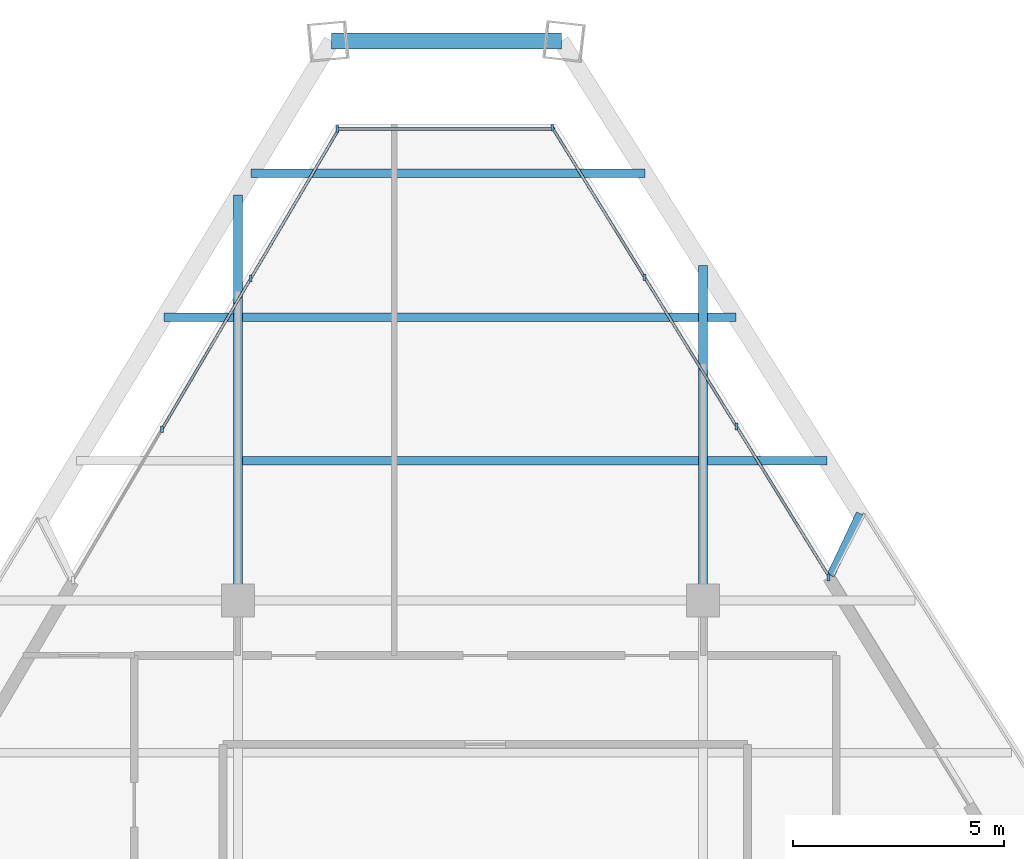
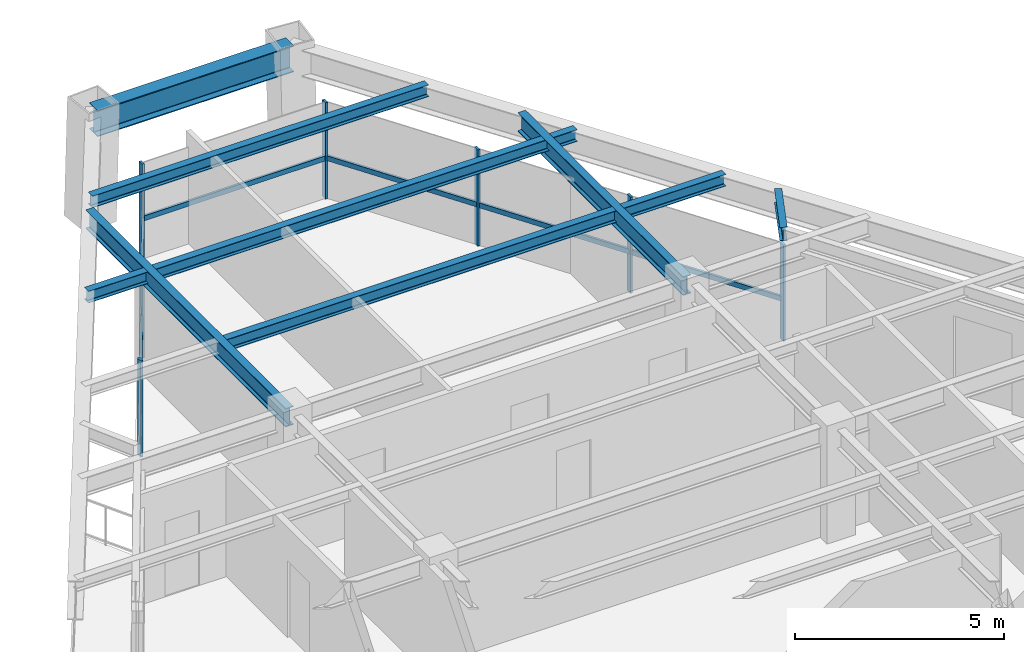
# One storey, part 7 of 14: 13 members, 9 beams, 3 elements without a shape of their own.
"""IFC4 building model written with IfcOpenShell, lengths in metres."""

from ifc_helpers import new_model, si_unit, direction, frame, origin, origin_2d, place, context, subcontext, project, spatial, rectangle, i_section, extrude, source, transform, mapped, material, material_profile, profile_set, type_object, type_shapes, element, aggregate, save


model = new_model("IFC4")

# Units and contexts
model_context = context("Model", 3, precision=1e-05, world=origin(), true_north=direction((0.0, 1.0)))
body_context = subcontext(model_context, "Body", "Model", "MODEL_VIEW")
ifc_project = project(units=[si_unit("LENGTHUNIT", "METRE"), si_unit("AREAUNIT", "SQUARE_METRE"), si_unit("VOLUMEUNIT", "CUBIC_METRE"), si_unit("PLANEANGLEUNIT", "RADIAN"), si_unit("MASSUNIT", "GRAM", prefix="KILO")], contexts=[model_context])

# Site, building, storey
site_placement = place(None, origin())
site = spatial("IfcSite", under=ifc_project, at=site_placement, CompositionType="ELEMENT")
building_placement = place(site_placement, origin())
building = spatial("IfcBuilding", under=site, at=building_placement, Name="Varnakhor Terracotta Tower", CompositionType="ELEMENT")
storey_placement = place(building_placement, frame((0.0, 0.0, 240.699951171875)))
storey = spatial("IfcBuildingStorey", under=building, at=storey_placement, Name="L62", CompositionType="ELEMENT", Elevation=240.699951171875)

# Beams
ifc_material_1 = material(Name="Steel S355", Category="steel")
ifc_material_profile_1 = material_profile(ifc_material_1, i_section(OverallWidth=0.202880859375, OverallDepth=0.346923828125, WebThickness=0.0078125, FlangeThickness=0.013427734375, FilletRadius=0.01806640625, at=origin_2d()), Name="W14X43")
ifc_profile_set_1 = profile_set([ifc_material_profile_1], Name="Steel S355")
beam_type_1 = type_object("IfcBeamType", Name="JST-W14X43", PredefinedType="JOIST", material=ifc_profile_set_1)
shared_shape_1 = source(origin(), body_context, "Body", "SweptSolid", [
    extrude(i_section(OverallWidth=0.202880859375, OverallDepth=0.346923828125, WebThickness=0.0078125, FlangeThickness=0.013427734375, FilletRadius=0.01806640625, at=origin_2d()), origin(), (0.0, 0.0, 1.0), 10.7939453125),
])
beam_1_placement = place(storey_placement, frame((-5.39697265625, 34.800048828125, 3.066650390625), z_axis=(1.0, 0.0, 0.0), x_axis=(0.0, 1.0, 0.0)))
element("IfcBeam", 1, at=beam_1_placement, inside=storey, type_object=beam_type_1, Name="L62 Composite Floor Joist 7-2", PredefinedType="JOIST", context=body_context, shape_type="MappedRepresentation", body=[
    mapped(shared_shape_1, transform((0.0, 0.0, 0.0), scale=1.0)),
])
ifc_material_profile_2 = material_profile(ifc_material_1, i_section(OverallWidth=0.381103515625, OverallDepth=0.77294921875, WebThickness=0.01708984375, FlangeThickness=0.027099609375, FilletRadius=0.01806640625, at=origin_2d()), Name="W30X173")
ifc_profile_set_2 = profile_set([ifc_material_profile_2], Name="Steel S355")
beam_type_2 = type_object("IfcBeamType", Name="BM-W30X173", PredefinedType="BEAM", material=ifc_profile_set_2)
shared_shape_2 = source(origin(), body_context, "Body", "SweptSolid", [
    extrude(i_section(OverallWidth=0.381103515625, OverallDepth=0.77294921875, WebThickness=0.01708984375, FlangeThickness=0.027099609375, FilletRadius=0.01806640625, at=origin_2d()), origin(), (0.0, 0.0, 1.0), 5.433837890625),
])
beam_2_placement = place(storey_placement, frame((2.146728515625, 44.72900390625, 2.853515625), z_axis=(-1.0, 0.0, 0.0), x_axis=(0.0, -1.0, 0.0)))
element("IfcBeam", 2, at=beam_2_placement, inside=storey, type_object=beam_type_2, Name="L62 Perimeter Spandrel 5", PredefinedType="BEAM", context=body_context, shape_type="MappedRepresentation", body=[
    mapped(shared_shape_2, transform((0.0, 0.0, 0.0), scale=1.0)),
])
ifc_material_profile_3 = material_profile(ifc_material_1, i_section(OverallWidth=0.214111328125, OverallDepth=0.549072265625, WebThickness=0.014892578125, FlangeThickness=0.02392578125, FilletRadius=0.01806640625, at=origin_2d()), Name="W21X93")
ifc_profile_set_3 = profile_set([ifc_material_profile_3], Name="Steel S355")
beam_type_3 = type_object("IfcBeamType", Name="BM-W21X93", PredefinedType="BEAM", material=ifc_profile_set_3)
shared_shape_3 = source(origin(), body_context, "Body", "SweptSolid", [
    extrude(i_section(OverallWidth=0.214111328125, OverallDepth=0.549072265625, WebThickness=0.014892578125, FlangeThickness=0.02392578125, FilletRadius=0.01806640625, at=origin_2d()), origin(), (0.0, 0.0, 1.0), 9.5830078125),
])
beam_3_placement = place(storey_placement, frame((-5.5, 31.5, 2.965576171875), z_axis=(0.0, 1.0, 0.0), x_axis=(-1.0, 0.0, 0.0)))
element("IfcBeam", 3, at=beam_3_placement, inside=storey, type_object=beam_type_3, Name="L62 Primary Girder NS3-W", PredefinedType="BEAM", context=body_context, shape_type="MappedRepresentation", body=[
    mapped(shared_shape_3, transform((0.0, 0.0, 0.0), scale=1.0)),
])
shared_shape_4 = source(origin(), body_context, "Body", "SweptSolid", [
    extrude(i_section(OverallWidth=0.214111328125, OverallDepth=0.549072265625, WebThickness=0.014892578125, FlangeThickness=0.02392578125, FilletRadius=0.01806640625, at=origin_2d()), origin(), (0.0, 0.0, 1.0), 7.926513671875),
])
beam_4_placement = place(storey_placement, frame((5.5, 31.5, 2.965576171875), z_axis=(0.0, 1.0, 0.0), x_axis=(-1.0, 0.0, 0.0)))
element("IfcBeam", 4, at=beam_4_placement, inside=storey, type_object=beam_type_3, Name="L62 Primary Girder NS3-E", PredefinedType="BEAM", context=body_context, shape_type="MappedRepresentation", body=[
    mapped(shared_shape_4, transform((0.0, 0.0, 0.0), scale=1.0)),
])
shared_shape_5 = source(origin(), body_context, "Body", "SweptSolid", [
    extrude(i_section(OverallWidth=0.202880859375, OverallDepth=0.346923828125, WebThickness=0.0078125, FlangeThickness=0.013427734375, FilletRadius=0.01806640625, at=origin_2d()), origin(), (0.0, 0.0, 1.0), 2.82275390625),
])
beam_5_placement = place(storey_placement, frame((5.60302734375, 34.800048828125, 3.066650390625), z_axis=(1.0, 0.0, 0.0), x_axis=(0.0, 1.0, 0.0)))
element("IfcBeam", 5, at=beam_5_placement, inside=storey, type_object=beam_type_1, Name="L62 Composite Floor Joist 7-3", PredefinedType="JOIST", context=body_context, shape_type="MappedRepresentation", body=[
    mapped(shared_shape_5, transform((0.0, 0.0, 0.0), scale=1.0)),
])
shared_shape_6 = source(origin(), body_context, "Body", "SweptSolid", [
    extrude(i_section(OverallWidth=0.202880859375, OverallDepth=0.346923828125, WebThickness=0.0078125, FlangeThickness=0.013427734375, FilletRadius=0.01806640625, at=origin_2d()), origin(), (0.0, 0.0, 1.0), 1.646484375),
])
beam_6_placement = place(storey_placement, frame((-7.24951171875, 38.199951171875, 3.066650390625), z_axis=(1.0, 0.0, 0.0), x_axis=(0.0, 1.0, 0.0)))
element("IfcBeam", 6, at=beam_6_placement, inside=storey, type_object=beam_type_1, Name="L62 Composite Floor Joist 8-1", PredefinedType="JOIST", context=body_context, shape_type="MappedRepresentation", body=[
    mapped(shared_shape_6, transform((0.0, 0.0, 0.0), scale=1.0)),
])
shared_shape_7 = source(origin(), body_context, "Body", "SweptSolid", [
    extrude(i_section(OverallWidth=0.202880859375, OverallDepth=0.346923828125, WebThickness=0.0078125, FlangeThickness=0.013427734375, FilletRadius=0.01806640625, at=origin_2d()), origin(), (0.0, 0.0, 1.0), 11.672607421875),
])
beam_7_placement = place(storey_placement, frame((-5.39697265625, 38.199951171875, 3.066650390625), z_axis=(1.0, 0.0, 0.0), x_axis=(0.0, 1.0, 0.0)))
element("IfcBeam", 7, at=beam_7_placement, inside=storey, type_object=beam_type_1, Name="L62 Composite Floor Joist 8-2", PredefinedType="JOIST", context=body_context, shape_type="MappedRepresentation", body=[
    mapped(shared_shape_7, transform((0.0, 0.0, 0.0), scale=1.0)),
])
shared_shape_8 = source(origin(), body_context, "Body", "SweptSolid", [
    extrude(i_section(OverallWidth=0.202880859375, OverallDepth=0.346923828125, WebThickness=0.0078125, FlangeThickness=0.013427734375, FilletRadius=0.01806640625, at=origin_2d()), origin(), (0.0, 0.0, 1.0), 9.311767578125),
])
beam_8_placement = place(storey_placement, frame((-5.186279296875, 41.60009765625, 3.066650390625), z_axis=(1.0, 0.0, 0.0), x_axis=(0.0, 1.0, 0.0)))
element("IfcBeam", 8, at=beam_8_placement, inside=storey, type_object=beam_type_1, Name="L62 Composite Floor Joist 9-1", PredefinedType="JOIST", context=body_context, shape_type="MappedRepresentation", body=[
    mapped(shared_shape_8, transform((0.0, 0.0, 0.0), scale=1.0)),
])

# Curtain wall, members
ifc_material_2 = material(Name="Anodised Aluminium Curtain Wall System", Category="aluminium")
curtain_wall_type = type_object("IfcCurtainWallType", Name="CW-SYS-HOTEL-LOGGIA", PredefinedType="NOTDEFINED", material=ifc_material_2)
curtain_wall_1_placement = place(storey_placement, origin())
curtain_wall_1 = element("IfcCurtainWall", 9, at=curtain_wall_1_placement, inside=storey, type_object=curtain_wall_type, Name="L62 W Facet Curtain Wall 2", PredefinedType="NOTDEFINED")
ifc_material_3 = material(Name="Anodised Aluminium 6063-T6", Category="aluminium")
ifc_material_profile_4 = material_profile(ifc_material_3, rectangle(XDim=0.06494140625, YDim=0.159912109375, at=origin_2d()), Name="ALU MULLION 65x160")
ifc_profile_set_4 = profile_set([ifc_material_profile_4], Name="Anodised Aluminium 6063-T6")
member_type_1 = type_object("IfcMemberType", Name="CWM-04", PredefinedType="MULLION", material=ifc_profile_set_4)
shared_shape_9 = source(origin(), body_context, "Body", "SweptSolid", [
    extrude(rectangle(XDim=0.06494140625, YDim=0.159912109375, at=origin_2d()), origin(), (0.0, 0.0, 1.0), 2.820068359375),
])
type_shapes(member_type_1, [shared_shape_9])
member_1_placement = place(storey_placement, frame((-7.296142578125, 35.549072265625, 0.0), z_axis=(0.0, 0.0, 1.0), x_axis=(1.0, 0.0, 0.0)))
member_1 = element("IfcMember", 10, at=member_1_placement, type_object=member_type_1, Name="L62 W Facet Curtain Wall 2 Mullion 2", PredefinedType="MULLION", context=body_context, shape_type="MappedRepresentation", body=[
    mapped(shared_shape_9, transform((0.0, 0.0, 0.0), scale=1.0)),
])
member_2_placement = place(storey_placement, frame((-5.19482421875, 39.11474609375, 0.0), z_axis=(0.0, 0.0, 1.0), x_axis=(1.0, 0.0, 0.0)))
member_2 = element("IfcMember", 11, at=member_2_placement, type_object=member_type_1, Name="L62 W Facet Curtain Wall 2 Mullion 3", PredefinedType="MULLION", context=body_context, shape_type="MappedRepresentation", body=[
    mapped(shared_shape_9, transform((0.0, 0.0, 0.0), scale=1.0)),
])

# Curtain wall, member
curtain_wall_2_placement = place(storey_placement, origin())
curtain_wall_2 = element("IfcCurtainWall", 12, at=curtain_wall_2_placement, inside=storey, type_object=curtain_wall_type, Name="L62 Facet Curtain Wall 2", PredefinedType="NOTDEFINED")
member_3_placement = place(storey_placement, frame((-3.151611328125, 42.647216796875, 0.0), z_axis=(0.0, 0.0, 1.0), x_axis=(1.0, 0.0, 0.0)))
member_3 = element("IfcMember", 13, at=member_3_placement, type_object=member_type_1, Name="L62 Facet Curtain Wall 2 Mullion 1", PredefinedType="MULLION", context=body_context, shape_type="MappedRepresentation", body=[
    mapped(shared_shape_9, transform((0.0, 0.0, 0.0), scale=1.0)),
])

# Curtain wall, members
curtain_wall_3_placement = place(storey_placement, origin())
curtain_wall_3 = element("IfcCurtainWall", 14, at=curtain_wall_3_placement, inside=storey, type_object=curtain_wall_type, Name="L62 E Facet Curtain Wall 1", PredefinedType="NOTDEFINED")
member_4_placement = place(storey_placement, frame((1.936279296875, 42.6787109375, 0.0), z_axis=(0.0, 0.0, 1.0), x_axis=(1.0, 0.0, 0.0)))
member_4 = element("IfcMember", 15, at=member_4_placement, type_object=member_type_1, Name="L62 E Facet Curtain Wall 1 Mullion 1", PredefinedType="MULLION", context=body_context, shape_type="MappedRepresentation", body=[
    mapped(shared_shape_9, transform((0.0, 0.0, 0.0), scale=1.0)),
])
member_5_placement = place(storey_placement, frame((4.114013671875, 39.14599609375, 0.0), z_axis=(0.0, 0.0, 1.0), x_axis=(1.0, 0.0, 0.0)))
member_5 = element("IfcMember", 16, at=member_5_placement, type_object=member_type_1, Name="L62 E Facet Curtain Wall 1 Mullion 2", PredefinedType="MULLION", context=body_context, shape_type="MappedRepresentation", body=[
    mapped(shared_shape_9, transform((0.0, 0.0, 0.0), scale=1.0)),
])
member_6_placement = place(storey_placement, frame((6.29150390625, 35.61328125, 0.0), z_axis=(0.0, 0.0, 1.0), x_axis=(1.0, 0.0, 0.0)))
member_6 = element("IfcMember", 17, at=member_6_placement, type_object=member_type_1, Name="L62 E Facet Curtain Wall 1 Mullion 3", PredefinedType="MULLION", context=body_context, shape_type="MappedRepresentation", body=[
    mapped(shared_shape_9, transform((0.0, 0.0, 0.0), scale=1.0)),
])
member_7_placement = place(storey_placement, frame((8.468017578125, 32.04443359375, 0.0), z_axis=(0.0, 0.0, 1.0), x_axis=(1.0, 0.0, 0.0)))
member_7 = element("IfcMember", 18, at=member_7_placement, type_object=member_type_1, Name="L62 E Loggia Jamb Closure Mullion 1", PredefinedType="MULLION", context=body_context, shape_type="MappedRepresentation", body=[
    mapped(shared_shape_9, transform((0.0, 0.0, 0.0), scale=1.0)),
])

# Member
ifc_material_profile_5 = material_profile(ifc_material_3, rectangle(XDim=0.06494140625, YDim=0.14501953125, at=origin_2d()), Name="ALU TRANSOM 65x145")
ifc_profile_set_5 = profile_set([ifc_material_profile_5], Name="Anodised Aluminium 6063-T6")
member_type_2 = type_object("IfcMemberType", Name="CWT-04", PredefinedType="USERDEFINED", material=ifc_profile_set_5)
shared_shape_10 = source(origin(), body_context, "Body", "SweptSolid", [
    extrude(rectangle(XDim=0.06494140625, YDim=0.14501953125, at=origin_2d()), origin(), (0.0, 0.0, 1.0), 4.138671875),
])
member_8_placement = place(storey_placement, frame((-7.296142578125, 35.549072265625, 1.1845703125), z_axis=(0.507713417719, 0.861526021353, 0.0), x_axis=(-0.861526021353, 0.507713417719, 0.0)))
member_8 = element("IfcMember", 19, at=member_8_placement, type_object=member_type_2, Name="L62 W Facet Curtain Wall 2 Transom 2", ObjectType="TRANSOM", PredefinedType="USERDEFINED", context=body_context, shape_type="MappedRepresentation", body=[
    mapped(shared_shape_10, transform((0.0, 0.0, 0.0), scale=1.0)),
])

member_9_placement = place(storey_placement, frame((-5.19482421875, 39.11474609375, 1.1845703125), z_axis=(0.507713417719, 0.861526021353, 0.0), x_axis=(-0.861526021353, 0.507713417719, 0.0)))
member_9 = element("IfcMember", 20, at=member_9_placement, type_object=member_type_2, Name="L62 W Facet Curtain Wall 2 Transom 3", ObjectType="TRANSOM", PredefinedType="USERDEFINED", context=body_context, shape_type="MappedRepresentation", body=[
    mapped(shared_shape_10, transform((0.0, 0.0, 0.0), scale=1.0)),
])

aggregate(curtain_wall_1, [member_1, member_8, member_2, member_9])

shared_shape_11 = source(origin(), body_context, "Body", "SweptSolid", [
    extrude(rectangle(XDim=0.06494140625, YDim=0.14501953125, at=origin_2d()), origin(), (0.0, 0.0, 1.0), 5.144287109375),
])
member_10_placement = place(storey_placement, frame((-3.151611328125, 42.647216796875, 1.1845703125), z_axis=(1.0, 0.0, 0.0), x_axis=(0.0, 1.0, 0.0)))
member_10 = element("IfcMember", 21, at=member_10_placement, type_object=member_type_2, Name="L62 Facet Curtain Wall 2 Transom 1", ObjectType="TRANSOM", PredefinedType="USERDEFINED", context=body_context, shape_type="MappedRepresentation", body=[
    mapped(shared_shape_11, transform((0.0, 0.0, 0.0), scale=1.0)),
])

aggregate(curtain_wall_2, [member_3, member_10])

shared_shape_12 = source(origin(), body_context, "Body", "SweptSolid", [
    extrude(rectangle(XDim=0.06494140625, YDim=0.14501953125, at=origin_2d()), origin(), (0.0, 0.0, 1.0), 4.14990234375),
])
member_11_placement = place(storey_placement, frame((1.936279296875, 42.6787109375, 1.1845703125), z_axis=(0.524753729727, -0.85125408847, 0.0), x_axis=(0.85125408847, 0.524753729727, 0.0)))
member_11 = element("IfcMember", 22, at=member_11_placement, type_object=member_type_2, Name="L62 E Facet Curtain Wall 1 Transom 1", ObjectType="TRANSOM", PredefinedType="USERDEFINED", context=body_context, shape_type="MappedRepresentation", body=[
    mapped(shared_shape_12, transform((0.0, 0.0, 0.0), scale=1.0)),
])

member_12_placement = place(storey_placement, frame((4.114013671875, 39.14599609375, 1.1845703125), z_axis=(0.524711098365, -0.851280367008, 0.0), x_axis=(0.851280367008, 0.524711098365, 0.0)))
member_12 = element("IfcMember", 23, at=member_12_placement, type_object=member_type_2, Name="L62 E Facet Curtain Wall 1 Transom 2", ObjectType="TRANSOM", PredefinedType="USERDEFINED", context=body_context, shape_type="MappedRepresentation", body=[
    mapped(shared_shape_12, transform((0.0, 0.0, 0.0), scale=1.0)),
])

member_13_placement = place(storey_placement, frame((6.29150390625, 35.61328125, 1.1845703125), z_axis=(0.524753729727, -0.85125408847, 0.0), x_axis=(0.85125408847, 0.524753729727, 0.0)))
member_13 = element("IfcMember", 24, at=member_13_placement, type_object=member_type_2, Name="L62 E Facet Curtain Wall 1 Transom 3", ObjectType="TRANSOM", PredefinedType="USERDEFINED", context=body_context, shape_type="MappedRepresentation", body=[
    mapped(shared_shape_12, transform((0.0, 0.0, 0.0), scale=1.0)),
])

aggregate(curtain_wall_3, [member_4, member_11, member_5, member_12, member_6, member_13, member_7])

# Beam
ifc_material_profile_6 = material_profile(ifc_material_1, i_section(OverallWidth=0.179931640625, OverallDepth=0.39990234375, WebThickness=0.008544921875, FlangeThickness=0.013427734375, FilletRadius=0.01806640625, at=origin_2d()), Name="IPE400")
ifc_profile_set_6 = profile_set([ifc_material_profile_6], Name="Steel S355")
beam_type_4 = type_object("IfcBeamType", Name="JST-IPE400", PredefinedType="JOIST", material=ifc_profile_set_6)
shared_shape_13 = source(origin(), body_context, "Body", "SweptSolid", [
    extrude(i_section(OverallWidth=0.179931640625, OverallDepth=0.39990234375, WebThickness=0.008544921875, FlangeThickness=0.013427734375, FilletRadius=0.01806640625, at=origin_2d()), origin(), (0.0, 0.0, 1.0), 1.6259765625),
])
beam_9_placement = place(storey_placement, frame((8.513671875, 32.09033203125, 3.0400390625), z_axis=(0.42849935467, 0.903542087037, 0.0), x_axis=(-0.903542087037, 0.42849935467, 0.0)))
element("IfcBeam", 25, at=beam_9_placement, inside=storey, type_object=beam_type_4, Name="L63 E Loggia Tie Beam 1", PredefinedType="JOIST", context=body_context, shape_type="MappedRepresentation", body=[
    mapped(shared_shape_13, transform((0.0, 0.0, 0.0), scale=1.0)),
])

save(model, "model.ifc")
